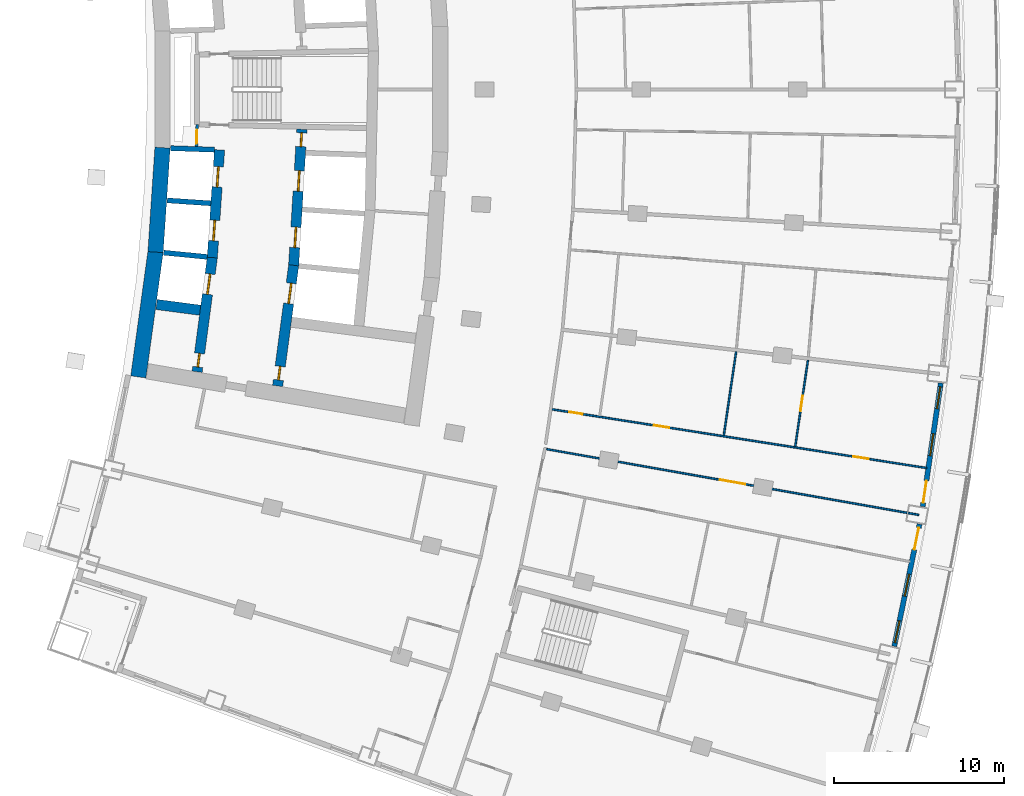
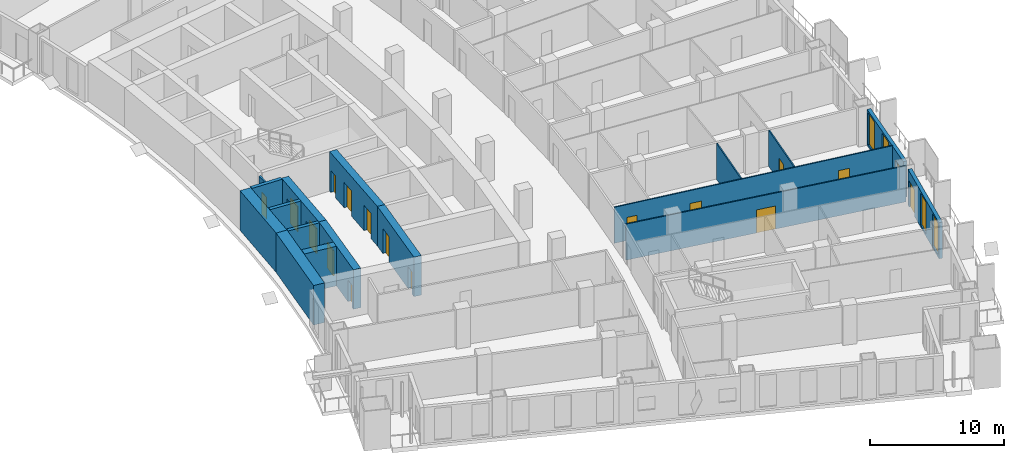
# One storey, part 15 of 24: 17 doors, 17 walls, 4 windows, 21 openings.
"""IFC4 building model written with IfcOpenShell, lengths in metres."""

from ifc_helpers import new_model, si_unit, direction, frame, frame_2d, origin, place, context, subcontext, project, spatial, rectangle, extrude, material, layer, layer_set, type_object, element, fill, save


model = new_model("IFC4")

# Units and contexts
model_context = context("Model", 3, precision=1e-05, world=origin(), true_north=direction((0.0, 1.0)))
body_context = subcontext(model_context, "Body", "Model", "MODEL_VIEW")
ifc_project = project(units=[si_unit("LENGTHUNIT", "METRE"), si_unit("AREAUNIT", "SQUARE_METRE"), si_unit("VOLUMEUNIT", "CUBIC_METRE"), si_unit("PLANEANGLEUNIT", "RADIAN"), si_unit("MASSUNIT", "GRAM", prefix="KILO")], contexts=[model_context])

# Site, building, storey
site_placement = place(None, origin())
site = spatial("IfcSite", under=ifc_project, at=site_placement, CompositionType="ELEMENT")
building_placement = place(site_placement, origin())
building = spatial("IfcBuilding", under=site, at=building_placement, Name="Alderwake Tower", CompositionType="ELEMENT")
storey_placement = place(building_placement, frame((0.0, 0.0, 39.199951171875)))
storey = spatial("IfcBuildingStorey", under=building, at=storey_placement, Name="L08", CompositionType="ELEMENT", Elevation=39.199951171875)

# Wall, opening, door
ifc_material_1 = material(Name="Gypsum shaft wall system, rated")
ifc_layer_1 = layer(ifc_material_1, 0.14990234375)
ifc_layer_set_1 = layer_set([ifc_layer_1], Name="Core room partition 150")
wall_type_1 = type_object("IfcWallType", Name="Core room partition 150", PredefinedType="PARTITIONING", material=ifc_layer_set_1)
wall_1_placement = place(storey_placement, frame((18.918701171875, 58.94384765625, 0.0), z_axis=(0.0, 0.0, 1.0), x_axis=(-0.027348257573, -0.999625966453, 0.0)))
wall_1 = element("IfcWall", 1, at=wall_1_placement, inside=storey, type_object=wall_type_1, Name="CW/L08/PA+24_-37", PredefinedType="PARTITIONING", context=body_context, shape_type="SweptSolid", body=[
    extrude(rectangle(XDim=1.29443359375, YDim=0.14990234375, at=frame_2d((0.647216796875, 0.0))), origin(), (0.0, 0.0, 1.0), 3.280029296875),
])
opening_1_placement = place(wall_1_placement, frame((0.322998046875, 0.0, 0.0)))
opening_1 = element("IfcOpeningElement", 2, at=opening_1_placement, cuts=wall_1, Name="Opening C004", PredefinedType="OPENING", context=body_context, shape_type="SweptSolid", body=[
    extrude(rectangle(XDim=0.800048828125, YDim=2.0, at=frame_2d((0.39990234375, 1.0))), frame((0.0, 0.0849609375, 0.0), z_axis=(0.0, -1.0, 0.0), x_axis=(1.0, 0.0, 0.0)), (0.0, 0.0, 1.0), 0.169921875),
])
ifc_material_2 = material(Name="Painted steel leaf, rated", Category="steel")
door_type_1 = type_object("IfcDoorType", Name="Riser access door 800", OperationType="SINGLE_SWING_LEFT", PredefinedType="DOOR", material=ifc_material_2)
door_1_placement = place(opening_1_placement, origin())
door_1 = element("IfcDoor", 3, at=door_1_placement, inside=storey, type_object=door_type_1, Name="Riser access door", OperationType="SINGLE_SWING_RIGHT", OverallHeight=2.0, OverallWidth=0.800048828125, PredefinedType="DOOR", context=body_context, shape_type="SweptSolid", body=[
    extrude(rectangle(XDim=0.800048828125, YDim=2.0, at=frame_2d((0.39990234375, 1.0))), frame((0.0, 0.02490234375, 0.0), z_axis=(0.0, -1.0, 0.0), x_axis=(1.0, 0.0, 0.0)), (0.0, 0.0, 1.0), 0.050048828125),
])
fill(opening_1, door_1)

# Walls
ifc_material_3 = material(Name="Concrete C70/85", Category="concrete")
ifc_layer_2 = layer(ifc_material_3, 0.89990234375)
ifc_layer_set_2 = layer_set([ifc_layer_2], Name="Core wall outer 900 C70-85")
wall_type_2 = type_object("IfcWallType", Name="Core wall outer 900 C70-85", PredefinedType="SHEAR", material=ifc_layer_set_2)
wall_2_placement = place(storey_placement, frame((15.46923828125, 44.1201171875, 0.0), z_axis=(0.0, 0.0, 1.0), x_axis=(0.136337234661, 0.990662484626, 0.0)))
element("IfcWall", 4, at=wall_2_placement, inside=storey, type_object=wall_type_2, Name="Core wall CW.042", PredefinedType="SHEAR", context=body_context, shape_type="SweptSolid", body=[
    extrude(rectangle(XDim=7.431396484375, YDim=0.89990234375, at=frame_2d((3.7158203125, 0.0))), origin(), (0.0, 0.0, 1.0), 3.60009765625),
])
wall_3_placement = place(storey_placement, frame((16.47900390625, 51.449951171875, 0.0), z_axis=(0.0, 0.0, 1.0), x_axis=(0.06689316208, 0.997760143956, 0.0)))
element("IfcWall", 5, at=wall_3_placement, inside=storey, type_object=wall_type_2, Name="Core wall CW.041", PredefinedType="SHEAR", context=body_context, shape_type="SweptSolid", body=[
    extrude(rectangle(XDim=6.149658203125, YDim=0.89990234375, at=frame_2d((3.07470703125, 0.0))), origin(), (0.0, 0.0, 1.0), 3.60009765625),
])
ifc_material_4 = material(Name="Concrete C70/85", Category="concrete")
ifc_layer_3 = layer(ifc_material_4, 0.300048828125)
ifc_layer_set_3 = layer_set([ifc_layer_3], Name="Core wall shaft 300 C70-85")
wall_type_3 = type_object("IfcWallType", Name="Core wall shaft 300 C70-85", PredefinedType="SHEAR", material=ifc_layer_set_3)
wall_4_placement = place(storey_placement, frame((16.9580078125, 51.4189453125, 0.0), z_axis=(0.0, 0.0, 1.0), x_axis=(0.995153154577, -0.098337169657, 0.0)))
element("IfcWall", 6, at=wall_4_placement, inside=storey, type_object=wall_type_3, Name="Core wall CW.065", PredefinedType="SHEAR", context=body_context, shape_type="SweptSolid", body=[
    extrude(rectangle(XDim=2.569580078125, YDim=0.300048828125, at=frame_2d((1.28466796875, 0.0))), origin(), (0.0, 0.0, 1.0), 3.60009765625),
])
wall_5_placement = place(storey_placement, frame((17.16357421875, 54.486083984375, 0.0), z_axis=(0.0, 0.0, 1.0), x_axis=(0.997758581961, -0.066916456292, 0.0)))
element("IfcWall", 7, at=wall_5_placement, inside=storey, type_object=wall_type_3, Name="Core wall CW.079", PredefinedType="SHEAR", context=body_context, shape_type="SweptSolid", body=[
    extrude(rectangle(XDim=2.568603515625, YDim=0.300048828125, at=frame_2d((1.2841796875, 0.0))), origin(), (0.0, 0.0, 1.0), 3.60009765625),
])
wall_6_placement = place(storey_placement, frame((17.369140625, 57.553466796875, 0.0), z_axis=(0.0, 0.0, 1.0), x_axis=(0.99937189907, -0.035437372217, 0.0)))
element("IfcWall", 8, at=wall_6_placement, inside=storey, type_object=wall_type_3, Name="Core wall CW.076", PredefinedType="SHEAR", context=body_context, shape_type="SweptSolid", body=[
    extrude(rectangle(XDim=2.56982421875, YDim=0.300048828125, at=frame_2d((1.284912109375, 0.0))), origin(), (0.0, 0.0, 1.0), 3.60009765625),
])

# Wall, openings, doors
ifc_material_5 = material(Name="Concrete C70/85", Category="concrete")
ifc_layer_4 = layer(ifc_material_5, 0.60009765625)
ifc_layer_set_4 = layer_set([ifc_layer_4], Name="Core wall spine 600 C70-85")
wall_type_4 = type_object("IfcWallType", Name="Core wall spine 600 C70-85", PredefinedType="SHEAR", material=ifc_layer_set_4)
wall_7_placement = place(storey_placement, frame((19.815185546875, 51.14697265625, 0.0), z_axis=(0.0, 0.0, 1.0), x_axis=(-0.131854836214, -0.991269036219, 0.0)))
wall_7 = element("IfcWall", 9, at=wall_7_placement, inside=storey, type_object=wall_type_4, Name="Core wall CW.033", PredefinedType="SHEAR", context=body_context, shape_type="SweptSolid", body=[
    extrude(rectangle(XDim=6.782470703125, YDim=0.60009765625, at=frame_2d((3.39111328125, 0.0))), origin(), (0.0, 0.0, 1.0), 3.60009765625),
])
opening_2_placement = place(wall_7_placement, frame((0.9921875, 0.0, 0.0)))
opening_2 = element("IfcOpeningElement", 10, at=opening_2_placement, cuts=wall_7, Name="Opening LD-LP1", PredefinedType="OPENING", context=body_context, shape_type="SweptSolid", body=[
    extrude(rectangle(XDim=1.199951171875, YDim=2.300048828125, at=frame_2d((0.60009765625, 1.14990234375))), frame((0.0, 0.31005859375, 0.0), z_axis=(0.0, -1.0, 0.0), x_axis=(1.0, 0.0, 0.0)), (0.0, 0.0, 1.0), 0.6201171875),
])
opening_3_placement = place(wall_7_placement, frame((5.699951171875, 0.0, 0.0)))
opening_3 = element("IfcOpeningElement", 11, at=opening_3_placement, cuts=wall_7, Name="Opening C007", PredefinedType="OPENING", context=body_context, shape_type="SweptSolid", body=[
    extrude(rectangle(XDim=0.800048828125, YDim=2.0, at=frame_2d((0.39990234375, 1.0))), frame((0.0, 0.31005859375, 0.0), z_axis=(0.0, -1.0, 0.0), x_axis=(1.0, 0.0, 0.0)), (0.0, 0.0, 1.0), 0.6201171875),
])
ifc_material_6 = material(Name="Stainless steel sliding leaf", Category="steel")
door_type_2 = type_object("IfcDoorType", Name="Lift landing door 1200", OperationType="SLIDING_TO_LEFT", PredefinedType="DOOR", material=ifc_material_6)
door_2_placement = place(opening_2_placement, origin())
door_2 = element("IfcDoor", 12, at=door_2_placement, inside=storey, type_object=door_type_2, Name="Lift landing door LP1", OperationType="SLIDING_TO_LEFT", OverallHeight=2.300048828125, OverallWidth=1.199951171875, PredefinedType="DOOR", context=body_context, shape_type="SweptSolid", body=[
    extrude(rectangle(XDim=1.199951171875, YDim=2.300048828125, at=frame_2d((0.60009765625, 1.14990234375))), frame((0.0, 0.050048828125, 0.0), z_axis=(0.0, -1.0, 0.0), x_axis=(1.0, 0.0, 0.0)), (0.0, 0.0, 1.0), 0.10009765625),
])
fill(opening_2, door_2)
door_3_placement = place(opening_3_placement, origin())
door_3 = element("IfcDoor", 13, at=door_3_placement, inside=storey, type_object=door_type_1, Name="Riser access door", OperationType="SINGLE_SWING_LEFT", OverallHeight=2.0, OverallWidth=0.800048828125, PredefinedType="DOOR", context=body_context, shape_type="SweptSolid", body=[
    extrude(rectangle(XDim=0.800048828125, YDim=2.0, at=frame_2d((0.39990234375, 1.0))), frame((0.0, 0.050048828125, 0.0), z_axis=(0.0, -1.0, 0.0), x_axis=(1.0, 0.0, 0.0)), (0.0, 0.0, 1.0), 0.10009765625),
])
fill(opening_3, door_3)

wall_8_placement = place(storey_placement, frame((19.813232421875, 51.12646484375, 0.0), z_axis=(0.0, 0.0, 1.0), x_axis=(0.066892179723, 0.997760209816, 0.0)))
wall_8 = element("IfcWall", 14, at=wall_8_placement, inside=storey, type_object=wall_type_4, Name="Core wall CW.032", PredefinedType="SHEAR", context=body_context, shape_type="SweptSolid", body=[
    extrude(rectangle(XDim=6.339599609375, YDim=0.60009765625, at=frame_2d((3.169921875, 0.0))), origin(), (0.0, 0.0, 1.0), 3.60009765625),
])
opening_4_placement = place(wall_8_placement, frame((0.992431640625, 0.0, 0.0)))
opening_4 = element("IfcOpeningElement", 15, at=opening_4_placement, cuts=wall_8, Name="Opening LD-LP2", PredefinedType="OPENING", context=body_context, shape_type="SweptSolid", body=[
    extrude(rectangle(XDim=1.199951171875, YDim=2.300048828125, at=frame_2d((0.60009765625, 1.14990234375))), frame((0.0, 0.31005859375, 0.0), z_axis=(0.0, -1.0, 0.0), x_axis=(1.0, 0.0, 0.0)), (0.0, 0.0, 1.0), 0.6201171875),
])
opening_5_placement = place(wall_8_placement, frame((4.157470703125, 0.0, 0.0)))
opening_5 = element("IfcOpeningElement", 16, at=opening_5_placement, cuts=wall_8, Name="Opening LD-LP3", PredefinedType="OPENING", context=body_context, shape_type="SweptSolid", body=[
    extrude(rectangle(XDim=1.199951171875, YDim=2.300048828125, at=frame_2d((0.60009765625, 1.14990234375))), frame((0.0, 0.31005859375, 0.0), z_axis=(0.0, -1.0, 0.0), x_axis=(1.0, 0.0, 0.0)), (0.0, 0.0, 1.0), 0.6201171875),
])
door_4_placement = place(opening_4_placement, origin())
door_4 = element("IfcDoor", 17, at=door_4_placement, inside=storey, type_object=door_type_2, Name="Lift landing door LP2", OperationType="SLIDING_TO_LEFT", OverallHeight=2.300048828125, OverallWidth=1.199951171875, PredefinedType="DOOR", context=body_context, shape_type="SweptSolid", body=[
    extrude(rectangle(XDim=1.199951171875, YDim=2.300048828125, at=frame_2d((0.60009765625, 1.14990234375))), frame((0.0, 0.050048828125, 0.0), z_axis=(0.0, -1.0, 0.0), x_axis=(1.0, 0.0, 0.0)), (0.0, 0.0, 1.0), 0.10009765625),
])
fill(opening_4, door_4)
door_5_placement = place(opening_5_placement, origin())
door_5 = element("IfcDoor", 18, at=door_5_placement, inside=storey, type_object=door_type_2, Name="Lift landing door LP3", OperationType="SLIDING_TO_LEFT", OverallHeight=2.300048828125, OverallWidth=1.199951171875, PredefinedType="DOOR", context=body_context, shape_type="SweptSolid", body=[
    extrude(rectangle(XDim=1.199951171875, YDim=2.300048828125, at=frame_2d((0.60009765625, 1.14990234375))), frame((0.0, 0.050048828125, 0.0), z_axis=(0.0, -1.0, 0.0), x_axis=(1.0, 0.0, 0.0)), (0.0, 0.0, 1.0), 0.10009765625),
])
fill(opening_5, door_5)

wall_9_placement = place(storey_placement, frame((23.647705078125, 43.588134765625, 0.0), z_axis=(0.0, 0.0, 1.0), x_axis=(0.132069785658, 0.991240420744, 0.0)))
wall_9 = element("IfcWall", 19, at=wall_9_placement, inside=storey, type_object=wall_type_4, Name="Core wall CW.047", PredefinedType="SHEAR", context=body_context, shape_type="SweptSolid", body=[
    extrude(rectangle(XDim=7.150390625, YDim=0.60009765625, at=frame_2d((3.5751953125, 0.0))), origin(), (0.0, 0.0, 1.0), 3.60009765625),
])
opening_6_placement = place(wall_9_placement, frame((4.88134765625, 0.0, 0.0)))
opening_6 = element("IfcOpeningElement", 20, at=opening_6_placement, cuts=wall_9, Name="Opening LD-LP4", PredefinedType="OPENING", context=body_context, shape_type="SweptSolid", body=[
    extrude(rectangle(XDim=1.199951171875, YDim=2.300048828125, at=frame_2d((0.60009765625, 1.14990234375))), frame((0.0, 0.31005859375, 0.0), z_axis=(0.0, -1.0, 0.0), x_axis=(1.0, 0.0, 0.0)), (0.0, 0.0, 1.0), 0.6201171875),
])
opening_7_placement = place(wall_9_placement, frame((0.35791015625, 0.0, 0.0)))
opening_7 = element("IfcOpeningElement", 21, at=opening_7_placement, cuts=wall_9, Name="Opening C014", PredefinedType="OPENING", context=body_context, shape_type="SweptSolid", body=[
    extrude(rectangle(XDim=0.800048828125, YDim=2.0, at=frame_2d((0.39990234375, 1.0))), frame((0.0, 0.31005859375, 0.0), z_axis=(0.0, -1.0, 0.0), x_axis=(1.0, 0.0, 0.0)), (0.0, 0.0, 1.0), 0.6201171875),
])
door_6_placement = place(opening_6_placement, origin())
door_6 = element("IfcDoor", 22, at=door_6_placement, inside=storey, type_object=door_type_2, Name="Lift landing door LP4", OperationType="SLIDING_TO_LEFT", OverallHeight=2.300048828125, OverallWidth=1.199951171875, PredefinedType="DOOR", context=body_context, shape_type="SweptSolid", body=[
    extrude(rectangle(XDim=1.199951171875, YDim=2.300048828125, at=frame_2d((0.60009765625, 1.14990234375))), frame((0.0, 0.050048828125, 0.0), z_axis=(0.0, -1.0, 0.0), x_axis=(1.0, 0.0, 0.0)), (0.0, 0.0, 1.0), 0.10009765625),
])
fill(opening_6, door_6)
door_7_placement = place(opening_7_placement, origin())
door_7 = element("IfcDoor", 23, at=door_7_placement, inside=storey, type_object=door_type_1, Name="Riser access door", OperationType="SINGLE_SWING_RIGHT", OverallHeight=2.0, OverallWidth=0.800048828125, PredefinedType="DOOR", context=body_context, shape_type="SweptSolid", body=[
    extrude(rectangle(XDim=0.800048828125, YDim=2.0, at=frame_2d((0.39990234375, 1.0))), frame((0.0, 0.050048828125, 0.0), z_axis=(0.0, -1.0, 0.0), x_axis=(1.0, 0.0, 0.0)), (0.0, 0.0, 1.0), 0.10009765625),
])
fill(opening_7, door_7)

wall_10_placement = place(storey_placement, frame((24.58984375, 50.6533203125, 0.0), z_axis=(0.0, 0.0, 1.0), x_axis=(0.060323309079, 0.998178890972, 0.0)))
wall_10 = element("IfcWall", 24, at=wall_10_placement, inside=storey, type_object=wall_type_4, Name="Core wall CW.046", PredefinedType="SHEAR", context=body_context, shape_type="SweptSolid", body=[
    extrude(rectangle(XDim=8.025634765625, YDim=0.60009765625, at=frame_2d((4.0126953125, 0.0))), origin(), (0.0, 0.0, 1.0), 3.60009765625),
])
opening_8_placement = place(wall_10_placement, frame((1.06884765625, 0.0, 0.0)))
opening_8 = element("IfcOpeningElement", 25, at=opening_8_placement, cuts=wall_10, Name="Opening LD-LP5", PredefinedType="OPENING", context=body_context, shape_type="SweptSolid", body=[
    extrude(rectangle(XDim=1.199951171875, YDim=2.300048828125, at=frame_2d((0.60009765625, 1.14990234375))), frame((0.0, 0.31005859375, 0.0), z_axis=(0.0, -1.0, 0.0), x_axis=(1.0, 0.0, 0.0)), (0.0, 0.0, 1.0), 0.6201171875),
])
opening_9_placement = place(wall_10_placement, frame((4.38525390625, 0.0, 0.0)))
opening_9 = element("IfcOpeningElement", 26, at=opening_9_placement, cuts=wall_10, Name="Opening LD-LP6", PredefinedType="OPENING", context=body_context, shape_type="SweptSolid", body=[
    extrude(rectangle(XDim=1.199951171875, YDim=2.300048828125, at=frame_2d((0.60009765625, 1.14990234375))), frame((0.0, 0.31005859375, 0.0), z_axis=(0.0, -1.0, 0.0), x_axis=(1.0, 0.0, 0.0)), (0.0, 0.0, 1.0), 0.6201171875),
])
opening_10_placement = place(wall_10_placement, frame((7.009521484375, 0.0, 0.0)))
opening_10 = element("IfcOpeningElement", 27, at=opening_10_placement, cuts=wall_10, Name="Opening C006", PredefinedType="OPENING", context=body_context, shape_type="SweptSolid", body=[
    extrude(rectangle(XDim=0.800048828125, YDim=2.0, at=frame_2d((0.39990234375, 1.0))), frame((0.0, 0.31005859375, 0.0), z_axis=(0.0, -1.0, 0.0), x_axis=(1.0, 0.0, 0.0)), (0.0, 0.0, 1.0), 0.6201171875),
])
door_8_placement = place(opening_8_placement, origin())
door_8 = element("IfcDoor", 28, at=door_8_placement, inside=storey, type_object=door_type_2, Name="Lift landing door LP5", OperationType="SLIDING_TO_LEFT", OverallHeight=2.300048828125, OverallWidth=1.199951171875, PredefinedType="DOOR", context=body_context, shape_type="SweptSolid", body=[
    extrude(rectangle(XDim=1.199951171875, YDim=2.300048828125, at=frame_2d((0.60009765625, 1.14990234375))), frame((0.0, 0.050048828125, 0.0), z_axis=(0.0, -1.0, 0.0), x_axis=(1.0, 0.0, 0.0)), (0.0, 0.0, 1.0), 0.10009765625),
])
fill(opening_8, door_8)
door_9_placement = place(opening_9_placement, origin())
door_9 = element("IfcDoor", 29, at=door_9_placement, inside=storey, type_object=door_type_2, Name="Lift landing door LP6", OperationType="SLIDING_TO_LEFT", OverallHeight=2.300048828125, OverallWidth=1.199951171875, PredefinedType="DOOR", context=body_context, shape_type="SweptSolid", body=[
    extrude(rectangle(XDim=1.199951171875, YDim=2.300048828125, at=frame_2d((0.60009765625, 1.14990234375))), frame((0.0, 0.050048828125, 0.0), z_axis=(0.0, -1.0, 0.0), x_axis=(1.0, 0.0, 0.0)), (0.0, 0.0, 1.0), 0.10009765625),
])
fill(opening_9, door_9)
door_10_placement = place(opening_10_placement, origin())
door_10 = element("IfcDoor", 30, at=door_10_placement, inside=storey, type_object=door_type_1, Name="Riser access door", OperationType="SINGLE_SWING_RIGHT", OverallHeight=2.0, OverallWidth=0.800048828125, PredefinedType="DOOR", context=body_context, shape_type="SweptSolid", body=[
    extrude(rectangle(XDim=0.800048828125, YDim=2.0, at=frame_2d((0.39990234375, 1.0))), frame((0.0, 0.050048828125, 0.0), z_axis=(0.0, -1.0, 0.0), x_axis=(1.0, 0.0, 0.0)), (0.0, 0.0, 1.0), 0.10009765625),
])
fill(opening_10, door_10)

# Wall
wall_11_placement = place(storey_placement, frame((16.5390625, 48.373291015625, 0.0), z_axis=(0.0, 0.0, 1.0), x_axis=(0.99156081818, -0.129642369037, 0.0)))
element("IfcWall", 31, at=wall_11_placement, inside=storey, type_object=wall_type_4, Name="Core wall CW.067", PredefinedType="SHEAR", context=body_context, shape_type="SweptSolid", body=[
    extrude(rectangle(XDim=2.581787109375, YDim=0.60009765625, at=frame_2d((1.291015625, 0.0))), origin(), (0.0, 0.0, 1.0), 3.60009765625),
])

# Wall, openings, door, windows
ifc_material_7 = material(Name="Precast concrete C50/60 spandrel panel", Category="concrete")
ifc_layer_5 = layer(ifc_material_7, 0.300048828125)
ifc_layer_set_5 = layer_set([ifc_layer_5], Name="External wall EW1 Precast concrete C50/60 spandrel")
wall_type_5 = type_object("IfcWallType", Name="External wall EW1 Precast concrete C50/60 spandrel", PredefinedType="SOLIDWALL", material=ifc_layer_set_5)
wall_12_placement = place(storey_placement, frame((59.863525390625, 28.298583984375, 0.0), z_axis=(0.0, 0.0, 1.0), x_axis=(0.202760911141, 0.979228274159, 0.0)))
wall_12 = element("IfcWall", 32, at=wall_12_placement, inside=storey, type_object=wall_type_5, Name="External wall 13", PredefinedType="SOLIDWALL", context=body_context, shape_type="SweptSolid", body=[
    extrude(rectangle(XDim=7.329345703125, YDim=0.300048828125, at=frame_2d((3.66455078125, 0.0))), origin(), (0.0, 0.0, 1.0), 3.280029296875),
])
opening_11_placement = place(wall_12_placement, frame((0.226806640625, 0.0, 0.199951171875)))
opening_11 = element("IfcOpeningElement", 33, at=opening_11_placement, cuts=wall_12, Name="Opening W1", PredefinedType="OPENING", context=body_context, shape_type="SweptSolid", body=[
    extrude(rectangle(XDim=1.300048828125, YDim=2.89990234375, at=frame_2d((0.64990234375, 1.449951171875))), frame((0.0, 0.159912109375, 0.0), z_axis=(0.0, -1.0, 0.0), x_axis=(1.0, 0.0, 0.0)), (0.0, 0.0, 1.0), 0.320068359375),
])
opening_12_placement = place(wall_12_placement, frame((3.0146484375, 0.0, 0.199951171875)))
opening_12 = element("IfcOpeningElement", 34, at=opening_12_placement, cuts=wall_12, Name="Opening W1", PredefinedType="OPENING", context=body_context, shape_type="SweptSolid", body=[
    extrude(rectangle(XDim=1.300048828125, YDim=2.89990234375, at=frame_2d((0.64990234375, 1.449951171875))), frame((0.0, 0.159912109375, 0.0), z_axis=(0.0, -1.0, 0.0), x_axis=(1.0, 0.0, 0.0)), (0.0, 0.0, 1.0), 0.320068359375),
])
opening_13_placement = place(wall_12_placement, frame((5.802490234375, 0.0, 0.0)))
opening_13 = element("IfcOpeningElement", 35, at=opening_13_placement, cuts=wall_12, Name="Opening D04", PredefinedType="OPENING", context=body_context, shape_type="SweptSolid", body=[
    extrude(rectangle(XDim=1.300048828125, YDim=2.39990234375, at=frame_2d((0.64990234375, 1.199951171875))), frame((0.0, 0.159912109375, 0.0), z_axis=(0.0, -1.0, 0.0), x_axis=(1.0, 0.0, 0.0)), (0.0, 0.0, 1.0), 0.320068359375),
])
ifc_material_8 = material(Name="Bronze tinted glass in aluminium frame", Category="aluminium")
door_type_3 = type_object("IfcDoorType", Name="Balcony door BD sliding", OperationType="SLIDING_TO_LEFT", PredefinedType="DOOR", material=ifc_material_8)
door_11_placement = place(opening_13_placement, origin())
door_11 = element("IfcDoor", 36, at=door_11_placement, inside=storey, type_object=door_type_3, Name="Door D04", OperationType="SLIDING_TO_LEFT", OverallHeight=2.39990234375, OverallWidth=1.300048828125, PredefinedType="DOOR", context=body_context, shape_type="SweptSolid", body=[
    extrude(rectangle(XDim=1.300048828125, YDim=2.39990234375, at=frame_2d((0.64990234375, 1.199951171875))), frame((0.0, 0.02490234375, 0.0), z_axis=(0.0, -1.0, 0.0), x_axis=(1.0, 0.0, 0.0)), (0.0, 0.0, 1.0), 0.050048828125),
])
fill(opening_13, door_11)
ifc_material_9 = material(Name="Bronze tinted glass in aluminium frame", Category="aluminium")
window_type = type_object("IfcWindowType", Name="Window W1 tall fixed and vent", PartitioningType="DOUBLE_PANEL_VERTICAL", PredefinedType="WINDOW", material=ifc_material_9)
window_1_placement = place(opening_11_placement, origin())
window_1 = element("IfcWindow", 37, at=window_1_placement, inside=storey, type_object=window_type, Name="Window W1 tall fixed and vent", OverallHeight=2.89990234375, OverallWidth=1.300048828125, PartitioningType="DOUBLE_PANEL_VERTICAL", PredefinedType="WINDOW", context=body_context, shape_type="SweptSolid", body=[
    extrude(rectangle(XDim=1.300048828125, YDim=2.89990234375, at=frame_2d((0.64990234375, 1.449951171875))), frame((0.0, 0.030029296875, 0.0), z_axis=(0.0, -1.0, 0.0), x_axis=(1.0, 0.0, 0.0)), (0.0, 0.0, 1.0), 0.06005859375),
])
fill(opening_11, window_1)
window_2_placement = place(opening_12_placement, origin())
window_2 = element("IfcWindow", 38, at=window_2_placement, inside=storey, type_object=window_type, Name="Window W1 tall fixed and vent", OverallHeight=2.89990234375, OverallWidth=1.300048828125, PartitioningType="DOUBLE_PANEL_VERTICAL", PredefinedType="WINDOW", context=body_context, shape_type="SweptSolid", body=[
    extrude(rectangle(XDim=1.300048828125, YDim=2.89990234375, at=frame_2d((0.64990234375, 1.449951171875))), frame((0.0, 0.030029296875, 0.0), z_axis=(0.0, -1.0, 0.0), x_axis=(1.0, 0.0, 0.0)), (0.0, 0.0, 1.0), 0.06005859375),
])
fill(opening_12, window_2)

wall_13_placement = place(storey_placement, frame((61.5322265625, 36.50830078125, 0.0), z_axis=(0.0, 0.0, 1.0), x_axis=(0.145300273639, 0.989387603763, 0.0)))
wall_13 = element("IfcWall", 39, at=wall_13_placement, inside=storey, type_object=wall_type_5, Name="External wall 14", PredefinedType="SOLIDWALL", context=body_context, shape_type="SweptSolid", body=[
    extrude(rectangle(XDim=7.329345703125, YDim=0.300048828125, at=frame_2d((3.66455078125, 0.0))), origin(), (0.0, 0.0, 1.0), 3.280029296875),
])
opening_14_placement = place(wall_13_placement, frame((0.226806640625, 0.0, 0.0)))
opening_14 = element("IfcOpeningElement", 40, at=opening_14_placement, cuts=wall_13, Name="Opening D05", PredefinedType="OPENING", context=body_context, shape_type="SweptSolid", body=[
    extrude(rectangle(XDim=1.300048828125, YDim=2.39990234375, at=frame_2d((0.64990234375, 1.199951171875))), frame((0.0, 0.159912109375, 0.0), z_axis=(0.0, -1.0, 0.0), x_axis=(1.0, 0.0, 0.0)), (0.0, 0.0, 1.0), 0.320068359375),
])
opening_15_placement = place(wall_13_placement, frame((3.0146484375, 0.0, 0.199951171875)))
opening_15 = element("IfcOpeningElement", 41, at=opening_15_placement, cuts=wall_13, Name="Opening W1", PredefinedType="OPENING", context=body_context, shape_type="SweptSolid", body=[
    extrude(rectangle(XDim=1.300048828125, YDim=2.89990234375, at=frame_2d((0.64990234375, 1.449951171875))), frame((0.0, 0.159912109375, 0.0), z_axis=(0.0, -1.0, 0.0), x_axis=(1.0, 0.0, 0.0)), (0.0, 0.0, 1.0), 0.320068359375),
])
opening_16_placement = place(wall_13_placement, frame((5.802490234375, 0.0, 0.199951171875)))
opening_16 = element("IfcOpeningElement", 42, at=opening_16_placement, cuts=wall_13, Name="Opening W1", PredefinedType="OPENING", context=body_context, shape_type="SweptSolid", body=[
    extrude(rectangle(XDim=1.300048828125, YDim=2.89990234375, at=frame_2d((0.64990234375, 1.449951171875))), frame((0.0, 0.159912109375, 0.0), z_axis=(0.0, -1.0, 0.0), x_axis=(1.0, 0.0, 0.0)), (0.0, 0.0, 1.0), 0.320068359375),
])
door_12_placement = place(opening_14_placement, origin())
door_12 = element("IfcDoor", 43, at=door_12_placement, inside=storey, type_object=door_type_3, Name="Door D05", OperationType="SLIDING_TO_LEFT", OverallHeight=2.39990234375, OverallWidth=1.300048828125, PredefinedType="DOOR", context=body_context, shape_type="SweptSolid", body=[
    extrude(rectangle(XDim=1.300048828125, YDim=2.39990234375, at=frame_2d((0.64990234375, 1.199951171875))), frame((0.0, 0.02490234375, 0.0), z_axis=(0.0, -1.0, 0.0), x_axis=(1.0, 0.0, 0.0)), (0.0, 0.0, 1.0), 0.050048828125),
])
fill(opening_14, door_12)
window_3_placement = place(opening_15_placement, origin())
window_3 = element("IfcWindow", 44, at=window_3_placement, inside=storey, type_object=window_type, Name="Window W1 tall fixed and vent", OverallHeight=2.89990234375, OverallWidth=1.300048828125, PartitioningType="DOUBLE_PANEL_VERTICAL", PredefinedType="WINDOW", context=body_context, shape_type="SweptSolid", body=[
    extrude(rectangle(XDim=1.300048828125, YDim=2.89990234375, at=frame_2d((0.64990234375, 1.449951171875))), frame((0.0, 0.030029296875, 0.0), z_axis=(0.0, -1.0, 0.0), x_axis=(1.0, 0.0, 0.0)), (0.0, 0.0, 1.0), 0.06005859375),
])
fill(opening_15, window_3)
window_4_placement = place(opening_16_placement, origin())
window_4 = element("IfcWindow", 45, at=window_4_placement, inside=storey, type_object=window_type, Name="Window W1 tall fixed and vent", OverallHeight=2.89990234375, OverallWidth=1.300048828125, PartitioningType="DOUBLE_PANEL_VERTICAL", PredefinedType="WINDOW", context=body_context, shape_type="SweptSolid", body=[
    extrude(rectangle(XDim=1.300048828125, YDim=2.89990234375, at=frame_2d((0.64990234375, 1.449951171875))), frame((0.0, 0.030029296875, 0.0), z_axis=(0.0, -1.0, 0.0), x_axis=(1.0, 0.0, 0.0)), (0.0, 0.0, 1.0), 0.06005859375),
])
fill(opening_16, window_4)

# Wall, openings, doors
ifc_material_10 = material(Name="Gypsum board on metal studs")
ifc_layer_6 = layer(ifc_material_10, 0.10009765625)
ifc_layer_set_6 = layer_set([ifc_layer_6], Name="Unit partition 100")
wall_type_6 = type_object("IfcWallType", Name="Unit partition 100", PredefinedType="PARTITIONING", material=ifc_layer_set_6)
wall_14_placement = place(storey_placement, frame((39.76904296875, 42.215576171875, 0.0), z_axis=(0.0, 0.0, 1.0), x_axis=(0.987944564684, -0.154808065397, 0.0)))
wall_14 = element("IfcWall", 46, at=wall_14_placement, inside=storey, type_object=wall_type_6, Name="WL/L08/W67", PredefinedType="PARTITIONING", context=body_context, shape_type="SweptSolid", body=[
    extrude(rectangle(XDim=22.26318359375, YDim=0.10009765625, at=frame_2d((11.131591796875, 0.0))), origin(), (0.0, 0.0, 1.0), 3.280029296875),
])
opening_17_placement = place(wall_14_placement, frame((6.06005859375, 0.0, 0.0)))
opening_17 = element("IfcOpeningElement", 47, at=opening_17_placement, cuts=wall_14, Name="Opening R01-U05.6", PredefinedType="OPENING", context=body_context, shape_type="SweptSolid", body=[
    extrude(rectangle(XDim=0.89990234375, YDim=2.10009765625, at=frame_2d((0.449951171875, 1.050048828125))), frame((0.0, 0.06005859375, 0.0), z_axis=(0.0, -1.0, 0.0), x_axis=(1.0, 0.0, 0.0)), (0.0, 0.0, 1.0), 0.1201171875),
])
opening_18_placement = place(wall_14_placement, frame((1.010009765625, 0.0, 0.0)))
opening_18 = element("IfcOpeningElement", 48, at=opening_18_placement, cuts=wall_14, Name="Opening R01-U05.7", PredefinedType="OPENING", context=body_context, shape_type="SweptSolid", body=[
    extrude(rectangle(XDim=0.800048828125, YDim=2.10009765625, at=frame_2d((0.39990234375, 1.050048828125))), frame((0.0, 0.06005859375, 0.0), z_axis=(0.0, -1.0, 0.0), x_axis=(1.0, 0.0, 0.0)), (0.0, 0.0, 1.0), 0.1201171875),
])
opening_19_placement = place(wall_14_placement, frame((17.90380859375, 0.0, 0.0)))
opening_19 = element("IfcOpeningElement", 49, at=opening_19_placement, cuts=wall_14, Name="Opening R01-U05.8", PredefinedType="OPENING", context=body_context, shape_type="SweptSolid", body=[
    extrude(rectangle(XDim=0.89990234375, YDim=2.10009765625, at=frame_2d((0.449951171875, 1.050048828125))), frame((0.0, 0.06005859375, 0.0), z_axis=(0.0, -1.0, 0.0), x_axis=(1.0, 0.0, 0.0)), (0.0, 0.0, 1.0), 0.1201171875),
])
ifc_material_11 = material(Name="Painted timber leaf", Category="wood")
door_type_4 = type_object("IfcDoorType", Name="Bathroom door 800", OperationType="SINGLE_SWING_LEFT", PredefinedType="DOOR", material=ifc_material_11)
door_13_placement = place(opening_18_placement, origin())
door_13 = element("IfcDoor", 50, at=door_13_placement, inside=storey, type_object=door_type_4, Name="DR/L08/U05.7", OperationType="SINGLE_SWING_LEFT", OverallHeight=2.10009765625, OverallWidth=0.800048828125, PredefinedType="DOOR", context=body_context, shape_type="SweptSolid", body=[
    extrude(rectangle(XDim=0.800048828125, YDim=2.10009765625, at=frame_2d((0.39990234375, 1.050048828125))), frame((0.0, 0.02490234375, 0.0), z_axis=(0.0, -1.0, 0.0), x_axis=(1.0, 0.0, 0.0)), (0.0, 0.0, 1.0), 0.050048828125),
])
fill(opening_18, door_13)
ifc_material_12 = material(Name="Painted timber leaf", Category="wood")
door_type_5 = type_object("IfcDoorType", Name="Room door 900", OperationType="SINGLE_SWING_LEFT", PredefinedType="DOOR", material=ifc_material_12)
door_14_placement = place(opening_17_placement, origin())
door_14 = element("IfcDoor", 51, at=door_14_placement, inside=storey, type_object=door_type_5, Name="DR/L08/U05.6", OperationType="SINGLE_SWING_LEFT", OverallHeight=2.10009765625, OverallWidth=0.89990234375, PredefinedType="DOOR", context=body_context, shape_type="SweptSolid", body=[
    extrude(rectangle(XDim=0.89990234375, YDim=2.10009765625, at=frame_2d((0.449951171875, 1.050048828125))), frame((0.0, 0.02490234375, 0.0), z_axis=(0.0, -1.0, 0.0), x_axis=(1.0, 0.0, 0.0)), (0.0, 0.0, 1.0), 0.050048828125),
])
fill(opening_17, door_14)
door_15_placement = place(opening_19_placement, origin())
door_15 = element("IfcDoor", 52, at=door_15_placement, inside=storey, type_object=door_type_5, Name="DR/L08/U05.8", OperationType="SINGLE_SWING_LEFT", OverallHeight=2.10009765625, OverallWidth=0.89990234375, PredefinedType="DOOR", context=body_context, shape_type="SweptSolid", body=[
    extrude(rectangle(XDim=0.89990234375, YDim=2.10009765625, at=frame_2d((0.449951171875, 1.050048828125))), frame((0.0, 0.02490234375, 0.0), z_axis=(0.0, -1.0, 0.0), x_axis=(1.0, 0.0, 0.0)), (0.0, 0.0, 1.0), 0.050048828125),
])
fill(opening_19, door_15)

# Wall
wall_15_placement = place(storey_placement, frame((49.852294921875, 40.6875, 0.0), z_axis=(0.0, 0.0, 1.0), x_axis=(0.145532233549, 0.989353510631, 0.0)))
element("IfcWall", 53, at=wall_15_placement, inside=storey, type_object=wall_type_6, Name="WL/L08/W77", PredefinedType="PARTITIONING", context=body_context, shape_type="SweptSolid", body=[
    extrude(rectangle(XDim=4.962158203125, YDim=0.10009765625, at=frame_2d((2.48095703125, 0.0))), origin(), (0.0, 0.0, 1.0), 3.280029296875),
])

# Wall, opening, door
wall_16_placement = place(storey_placement, frame((54.04638671875, 40.027587890625, 0.0), z_axis=(0.0, 0.0, 1.0), x_axis=(0.145465212864, 0.989363366942, 0.0)))
wall_16 = element("IfcWall", 54, at=wall_16_placement, inside=storey, type_object=wall_type_6, Name="WL/L08/W85", PredefinedType="PARTITIONING", context=body_context, shape_type="SweptSolid", body=[
    extrude(rectangle(XDim=5.12890625, YDim=0.10009765625, at=frame_2d((2.564453125, 0.0))), origin(), (0.0, 0.0, 1.0), 3.280029296875),
])
opening_20_placement = place(wall_16_placement, frame((2.114501953125, 0.0, 0.0)))
opening_20 = element("IfcOpeningElement", 55, at=opening_20_placement, cuts=wall_16, Name="Opening R01-U05.9", PredefinedType="OPENING", context=body_context, shape_type="SweptSolid", body=[
    extrude(rectangle(XDim=0.89990234375, YDim=2.10009765625, at=frame_2d((0.449951171875, 1.050048828125))), frame((0.0, 0.06005859375, 0.0), z_axis=(0.0, -1.0, 0.0), x_axis=(1.0, 0.0, 0.0)), (0.0, 0.0, 1.0), 0.1201171875),
])
door_16_placement = place(opening_20_placement, origin())
door_16 = element("IfcDoor", 56, at=door_16_placement, inside=storey, type_object=door_type_5, Name="DR/L08/U05.9", OperationType="SINGLE_SWING_LEFT", OverallHeight=2.10009765625, OverallWidth=0.89990234375, PredefinedType="DOOR", context=body_context, shape_type="SweptSolid", body=[
    extrude(rectangle(XDim=0.89990234375, YDim=2.10009765625, at=frame_2d((0.449951171875, 1.050048828125))), frame((0.0, 0.02490234375, 0.0), z_axis=(0.0, -1.0, 0.0), x_axis=(1.0, 0.0, 0.0)), (0.0, 0.0, 1.0), 0.050048828125),
])
fill(opening_20, door_16)

wall_17_placement = place(storey_placement, frame((39.4267578125, 39.883056640625, 0.0), z_axis=(0.0, 0.0, 1.0), x_axis=(0.984731528724, -0.174079913653, 0.0)))
wall_17 = element("IfcWall", 57, at=wall_17_placement, inside=storey, type_object=wall_type_6, Name="WL/L08/W91", PredefinedType="PARTITIONING", context=body_context, shape_type="SweptSolid", body=[
    extrude(rectangle(XDim=22.220703125, YDim=0.10009765625, at=frame_2d((11.1103515625, 0.0))), origin(), (0.0, 0.0, 1.0), 3.280029296875),
])
opening_21_placement = place(wall_17_placement, frame((10.360107421875, 0.0, 0.0)))
opening_21 = element("IfcOpeningElement", 58, at=opening_21_placement, cuts=wall_17, Name="Opening R01-U05.10", PredefinedType="OPENING", context=body_context, shape_type="SweptSolid", body=[
    extrude(rectangle(XDim=1.5, YDim=2.10009765625, at=frame_2d((0.75, 1.050048828125))), frame((0.0, 0.06005859375, 0.0), z_axis=(0.0, -1.0, 0.0), x_axis=(1.0, 0.0, 0.0)), (0.0, 0.0, 1.0), 0.1201171875),
])
ifc_material_13 = material(Name="Painted timber leaves", Category="wood")
door_type_6 = type_object("IfcDoorType", Name="Double leaf door 1500", OperationType="DOUBLE_DOOR_SINGLE_SWING", PredefinedType="DOOR", material=ifc_material_13)
door_17_placement = place(opening_21_placement, origin())
door_17 = element("IfcDoor", 59, at=door_17_placement, inside=storey, type_object=door_type_6, Name="DR/L08/U05.10", OperationType="DOUBLE_DOOR_SINGLE_SWING", OverallHeight=2.10009765625, OverallWidth=1.5, PredefinedType="DOOR", context=body_context, shape_type="SweptSolid", body=[
    extrude(rectangle(XDim=1.5, YDim=2.10009765625, at=frame_2d((0.75, 1.050048828125))), frame((0.0, 0.02490234375, 0.0), z_axis=(0.0, -1.0, 0.0), x_axis=(1.0, 0.0, 0.0)), (0.0, 0.0, 1.0), 0.050048828125),
])
fill(opening_21, door_17)

save(model, "model.ifc")
